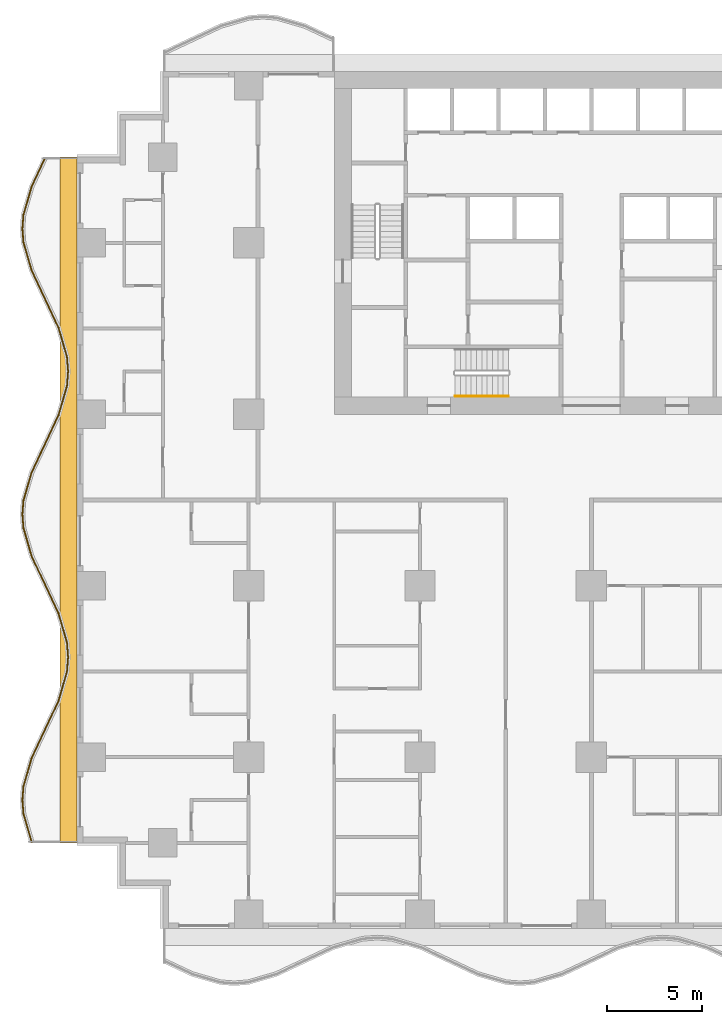
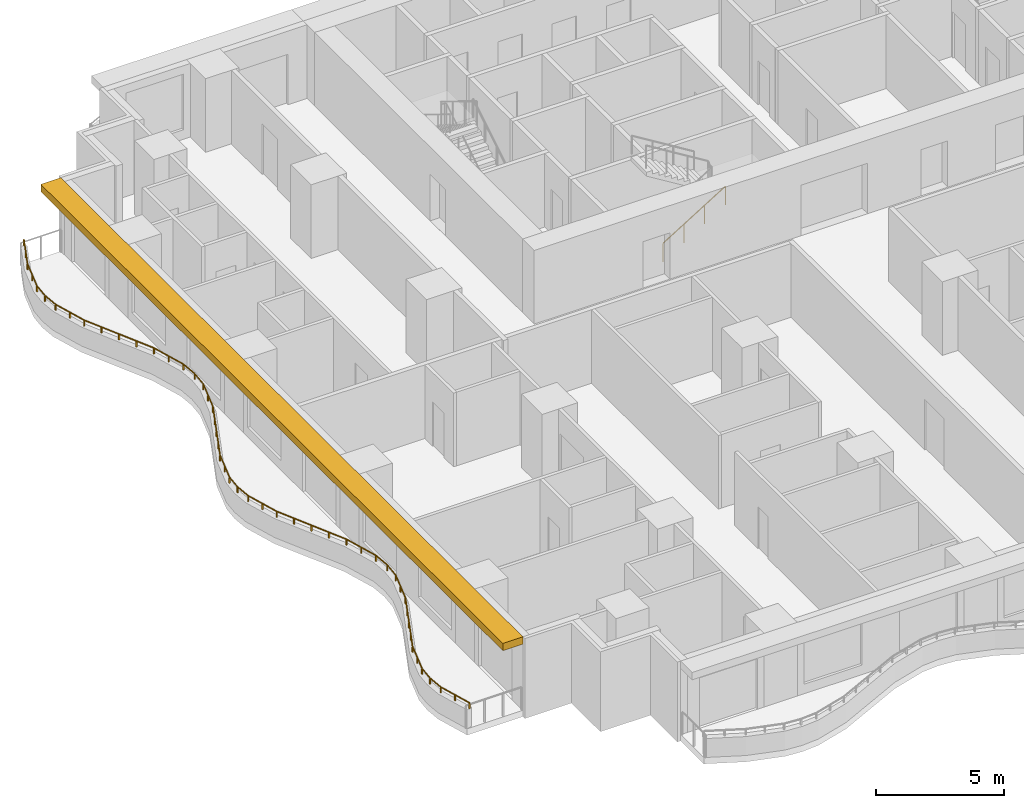
# One storey, part 9 of 14: 2 railings, 1 shading device.
"""IFC4 building model written with IfcOpenShell, lengths in metres."""

from ifc_helpers import new_model, si_unit, direction, frame, origin, origin_2d, place, context, subcontext, project, spatial, polyline, rectangle, circle, outline, extrude, material, layer, layer_set, type_object, element, save


model = new_model("IFC4")

# Units and contexts
model_context = context("Model", 3, precision=1e-05, world=origin(), true_north=direction((0.0, 1.0)))
body_context = subcontext(model_context, "Body", "Model", "MODEL_VIEW")
ifc_project = project(units=[si_unit("LENGTHUNIT", "METRE"), si_unit("AREAUNIT", "SQUARE_METRE"), si_unit("VOLUMEUNIT", "CUBIC_METRE"), si_unit("PLANEANGLEUNIT", "RADIAN"), si_unit("MASSUNIT", "GRAM", prefix="KILO")], contexts=[model_context])

# Site, building, storey
site_placement = place(None, origin())
site = spatial("IfcSite", under=ifc_project, at=site_placement, CompositionType="ELEMENT")
building_placement = place(site_placement, origin())
building = spatial("IfcBuilding", under=site, at=building_placement, Name="Orbiselva Terraces", CompositionType="ELEMENT")
storey_placement = place(building_placement, frame((0.0, 0.0, 15.0)))
storey = spatial("IfcBuildingStorey", under=building, at=storey_placement, Name="L03", CompositionType="ELEMENT", Elevation=15.0)

# Railings
ifc_material_1 = material(Name="Stainless steel", Category="steel")
railing_type_1 = type_object("IfcRailingType", Name="CORE-HANDRAIL-900", PredefinedType="HANDRAIL", material=ifc_material_1)
railing_1_placement = place(storey_placement, frame((-7.15, 5.45, 0.172727)))
element("IfcRailing", 1, at=railing_1_placement, inside=storey, type_object=railing_type_1, Name="L03 S3 stair handrail 1", PredefinedType="HANDRAIL", context=body_context, shape_type="SweptSolid", body=[
    extrude(circle(Radius=0.024, at=origin_2d()), frame((0.0, 0.0, 0.876), z_axis=(0.851088519012, 0.0, 0.52502222125), x_axis=(0.0, 1.0, 0.0)), (0.0, 0.0, 1.0), 3.289905),
    extrude(circle(Radius=0.021, at=origin_2d()), origin(), (0.0, 0.0, 1.0), 0.852),
    extrude(circle(Radius=0.021, at=origin_2d()), frame((0.933333, 0.0, 0.575758)), (0.0, 0.0, 1.0), 0.852),
    extrude(circle(Radius=0.021, at=origin_2d()), frame((1.866667, 0.0, 1.151515)), (0.0, 0.0, 1.0), 0.852),
    extrude(circle(Radius=0.021, at=origin_2d()), frame((2.8, 0.0, 1.727273)), (0.0, 0.0, 1.0), 0.852),
])
ifc_material_2 = material(Name="Bonded two-ply safety glass balustrade, stainless steel posts", Category="steel")
railing_type_2 = type_object("IfcRailingType", Name="ENV-BALUSTRADE-1200", PredefinedType="BALUSTRADE", material=ifc_material_2)
railing_2_placement = place(storey_placement, frame((-28.686882, 17.946809, 0.9)))
element("IfcRailing", 2, at=railing_2_placement, inside=storey, type_object=railing_type_2, Name="Balcony balustrade L03 W", PredefinedType="BALUSTRADE", context=body_context, shape_type="SweptSolid", body=[
    extrude(outline(polyline([(0.028868, 0.0), (0.014434, 0.025), (-0.014434, 0.025), (-0.028868, 0.0), (-0.014434, -0.025), (0.014434, -0.025), (0.028868, 0.0)])), frame((0.0, 0.0, 0.275), z_axis=(-0.425529912322, -0.904944359461, 0.0), x_axis=(0.904944359461, -0.425529912322, 0.0)), (0.0, 0.0, 1.0), 1.647746),
    extrude(outline(polyline([(0.028868, 0.0), (0.014434, 0.025), (-0.014434, 0.025), (-0.028868, 0.0), (-0.014434, -0.025), (0.014434, -0.025), (0.028868, 0.0)])), frame((-0.701165, -1.491118, 0.275), z_axis=(-0.279071528957, -0.960270317007, 0.0), x_axis=(0.960270317007, -0.279071528957, 0.0)), (0.0, 0.0, 1.0), 1.539408),
    extrude(outline(polyline([(0.028868, 0.0), (0.014434, 0.025), (-0.014434, 0.025), (-0.028868, 0.0), (-0.014434, -0.025), (0.014434, -0.025), (0.028868, 0.0)])), frame((-1.13077, -2.969366, 0.275), z_axis=(-0.078069536776, -0.996947916106, 0.0), x_axis=(0.996947916106, -0.078069536776, 0.0)), (0.0, 0.0, 1.0), 0.72967),
    extrude(outline(polyline([(0.028868, 0.0), (0.014434, 0.025), (-0.014434, 0.025), (-0.028868, 0.0), (-0.014434, -0.025), (0.014434, -0.025), (0.028868, 0.0)])), frame((-1.187735, -3.696809, 0.275), z_axis=(0.078069536776, -0.996947916106, 0.0), x_axis=(0.996947916106, 0.078069536776, 0.0)), (0.0, 0.0, 1.0), 0.72967),
    extrude(outline(polyline([(0.028868, 0.0), (0.014434, 0.025), (-0.014434, 0.025), (-0.028868, 0.0), (-0.014434, -0.025), (0.014434, -0.025), (0.028868, 0.0)])), frame((-1.13077, -4.424252, 0.275), z_axis=(0.279071528957, -0.960270317007, 0.0), x_axis=(0.960270317007, 0.279071528957, 0.0)), (0.0, 0.0, 1.0), 1.539408),
    extrude(outline(polyline([(0.028868, 0.0), (0.014434, 0.025), (-0.014434, 0.025), (-0.028868, 0.0), (-0.014434, -0.025), (0.014434, -0.025), (0.028868, 0.0)])), frame((-0.701165, -5.9025, 0.275), z_axis=(0.425529912322, -0.904944359461, 0.0), x_axis=(0.904944359461, 0.425529912322, 0.0)), (0.0, 0.0, 1.0), 1.647746),
    extrude(outline(polyline([(0.028868, 0.0), (0.014434, 0.025), (-0.014434, 0.025), (-0.028868, 0.0), (-0.014434, -0.025), (0.014434, -0.025), (0.028868, 0.0)])), frame((0.0, -7.393618, 0.275), z_axis=(0.425530342069, -0.904944157382, 0.0), x_axis=(0.904944157382, 0.425530342069, 0.0)), (0.0, 0.0, 1.0), 1.667376),
    extrude(outline(polyline([(0.028868, 0.0), (0.014434, 0.025), (-0.014434, 0.025), (-0.028868, 0.0), (-0.014434, -0.025), (0.014434, -0.025), (0.028868, 0.0)])), frame((0.709519, -8.9025, 0.275), z_axis=(0.279070928786, -0.960270491427, 0.0), x_axis=(0.960270491427, 0.279070928786, 0.0)), (0.0, 0.0, 1.0), 1.584712),
    extrude(outline(polyline([(0.028868, 0.0), (0.014434, 0.025), (-0.014434, 0.025), (-0.028868, 0.0), (-0.014434, -0.025), (0.014434, -0.025), (0.028868, 0.0)])), frame((1.151766, -10.424252, 0.275), z_axis=(0.078071061106, -0.996947796737, 0.0), x_axis=(0.996947796737, 0.078071061106, 0.0)), (0.0, 0.0, 1.0), 0.774922),
    extrude(outline(polyline([(0.028868, 0.0), (0.014434, 0.025), (-0.014434, 0.025), (-0.028868, 0.0), (-0.014434, -0.025), (0.014434, -0.025), (0.028868, 0.0)])), frame((1.212265, -11.196809, 0.275), z_axis=(-0.078071061106, -0.996947796737, 0.0), x_axis=(0.996947796737, -0.078071061106, 0.0)), (0.0, 0.0, 1.0), 0.774922),
    extrude(outline(polyline([(0.028868, 0.0), (0.014434, 0.025), (-0.014434, 0.025), (-0.028868, 0.0), (-0.014434, -0.025), (0.014434, -0.025), (0.028868, 0.0)])), frame((1.151766, -11.969366, 0.275), z_axis=(-0.279070928786, -0.960270491427, 0.0), x_axis=(0.960270491427, -0.279070928786, 0.0)), (0.0, 0.0, 1.0), 1.584712),
    extrude(outline(polyline([(0.028868, 0.0), (0.014434, 0.025), (-0.014434, 0.025), (-0.028868, 0.0), (-0.014434, -0.025), (0.014434, -0.025), (0.028868, 0.0)])), frame((0.709519, -13.491118, 0.275), z_axis=(-0.425530342069, -0.904944157382, 0.0), x_axis=(0.904944157382, -0.425530342069, 0.0)), (0.0, 0.0, 1.0), 1.667376),
    extrude(outline(polyline([(0.028868, 0.0), (0.014434, 0.025), (-0.014434, 0.025), (-0.028868, 0.0), (-0.014434, -0.025), (0.014434, -0.025), (0.028868, 0.0)])), frame((0.0, -15.0, 0.275), z_axis=(-0.425529912322, -0.904944359461, 0.0), x_axis=(0.904944359461, -0.425529912322, 0.0)), (0.0, 0.0, 1.0), 1.647746),
    extrude(outline(polyline([(0.028868, 0.0), (0.014434, 0.025), (-0.014434, 0.025), (-0.028868, 0.0), (-0.014434, -0.025), (0.014434, -0.025), (0.028868, 0.0)])), frame((-0.701165, -16.491118, 0.275), z_axis=(-0.279071528957, -0.960270317007, 0.0), x_axis=(0.960270317007, -0.279071528957, 0.0)), (0.0, 0.0, 1.0), 1.539408),
    extrude(outline(polyline([(0.028868, 0.0), (0.014434, 0.025), (-0.014434, 0.025), (-0.028868, 0.0), (-0.014434, -0.025), (0.014434, -0.025), (0.028868, 0.0)])), frame((-1.13077, -17.969366, 0.275), z_axis=(-0.078069536776, -0.996947916106, 0.0), x_axis=(0.996947916106, -0.078069536776, 0.0)), (0.0, 0.0, 1.0), 0.72967),
    extrude(outline(polyline([(0.028868, 0.0), (0.014434, 0.025), (-0.014434, 0.025), (-0.028868, 0.0), (-0.014434, -0.025), (0.014434, -0.025), (0.028868, 0.0)])), frame((-1.187735, -18.696809, 0.275), z_axis=(0.078069536776, -0.996947916106, 0.0), x_axis=(0.996947916106, 0.078069536776, 0.0)), (0.0, 0.0, 1.0), 0.72967),
    extrude(outline(polyline([(0.028868, 0.0), (0.014434, 0.025), (-0.014434, 0.025), (-0.028868, 0.0), (-0.014434, -0.025), (0.014434, -0.025), (0.028868, 0.0)])), frame((-1.13077, -19.424252, 0.275), z_axis=(0.279071528957, -0.960270317007, 0.0), x_axis=(0.960270317007, 0.279071528957, 0.0)), (0.0, 0.0, 1.0), 1.539408),
    extrude(outline(polyline([(0.028868, 0.0), (0.014434, 0.025), (-0.014434, 0.025), (-0.028868, 0.0), (-0.014434, -0.025), (0.014434, -0.025), (0.028868, 0.0)])), frame((-0.701165, -20.9025, 0.275), z_axis=(0.425529912322, -0.904944359461, 0.0), x_axis=(0.904944359461, 0.425529912322, 0.0)), (0.0, 0.0, 1.0), 1.647746),
    extrude(outline(polyline([(0.028868, 0.0), (0.014434, 0.025), (-0.014434, 0.025), (-0.028868, 0.0), (-0.014434, -0.025), (0.014434, -0.025), (0.028868, 0.0)])), frame((0.0, -22.393618, 0.275), z_axis=(0.425530342069, -0.904944157382, 0.0), x_axis=(0.904944157382, 0.425530342069, 0.0)), (0.0, 0.0, 1.0), 1.667376),
    extrude(outline(polyline([(0.028868, 0.0), (0.014434, 0.025), (-0.014434, 0.025), (-0.028868, 0.0), (-0.014434, -0.025), (0.014434, -0.025), (0.028868, 0.0)])), frame((0.709519, -23.9025, 0.275), z_axis=(0.279070928786, -0.960270491427, 0.0), x_axis=(0.960270491427, 0.279070928786, 0.0)), (0.0, 0.0, 1.0), 1.584712),
    extrude(outline(polyline([(0.028868, 0.0), (0.014434, 0.025), (-0.014434, 0.025), (-0.028868, 0.0), (-0.014434, -0.025), (0.014434, -0.025), (0.028868, 0.0)])), frame((1.151766, -25.424252, 0.275), z_axis=(0.078071061106, -0.996947796737, 0.0), x_axis=(0.996947796737, 0.078071061106, 0.0)), (0.0, 0.0, 1.0), 0.774922),
    extrude(outline(polyline([(0.028868, 0.0), (0.014434, 0.025), (-0.014434, 0.025), (-0.028868, 0.0), (-0.014434, -0.025), (0.014434, -0.025), (0.028868, 0.0)])), frame((1.212265, -26.196809, 0.275), z_axis=(-0.078071061106, -0.996947796737, 0.0), x_axis=(0.996947796737, -0.078071061106, 0.0)), (0.0, 0.0, 1.0), 0.774922),
    extrude(outline(polyline([(0.028868, 0.0), (0.014434, 0.025), (-0.014434, 0.025), (-0.028868, 0.0), (-0.014434, -0.025), (0.014434, -0.025), (0.028868, 0.0)])), frame((1.151766, -26.969366, 0.275), z_axis=(-0.279070928786, -0.960270491427, 0.0), x_axis=(0.960270491427, -0.279070928786, 0.0)), (0.0, 0.0, 1.0), 1.584712),
    extrude(outline(polyline([(0.028868, 0.0), (0.014434, 0.025), (-0.014434, 0.025), (-0.028868, 0.0), (-0.014434, -0.025), (0.014434, -0.025), (0.028868, 0.0)])), frame((0.709519, -28.491118, 0.275), z_axis=(-0.425530342069, -0.904944157382, 0.0), x_axis=(0.904944157382, -0.425530342069, 0.0)), (0.0, 0.0, 1.0), 1.667376),
    extrude(outline(polyline([(0.028868, 0.0), (0.014434, 0.025), (-0.014434, 0.025), (-0.028868, 0.0), (-0.014434, -0.025), (0.014434, -0.025), (0.028868, 0.0)])), frame((0.0, -30.0, 0.275), z_axis=(-0.425529912322, -0.904944359461, 0.0), x_axis=(0.904944359461, -0.425529912322, 0.0)), (0.0, 0.0, 1.0), 1.647746),
    extrude(outline(polyline([(0.028868, 0.0), (0.014434, 0.025), (-0.014434, 0.025), (-0.028868, 0.0), (-0.014434, -0.025), (0.014434, -0.025), (0.028868, 0.0)])), frame((-0.701165, -31.491118, 0.275), z_axis=(-0.279071528957, -0.960270317007, 0.0), x_axis=(0.960270317007, -0.279071528957, 0.0)), (0.0, 0.0, 1.0), 1.539408),
    extrude(outline(polyline([(0.028868, 0.0), (0.014434, 0.025), (-0.014434, 0.025), (-0.028868, 0.0), (-0.014434, -0.025), (0.014434, -0.025), (0.028868, 0.0)])), frame((-1.13077, -32.969366, 0.275), z_axis=(-0.078069536776, -0.996947916106, 0.0), x_axis=(0.996947916106, -0.078069536776, 0.0)), (0.0, 0.0, 1.0), 0.72967),
    extrude(outline(polyline([(0.028868, 0.0), (0.014434, 0.025), (-0.014434, 0.025), (-0.028868, 0.0), (-0.014434, -0.025), (0.014434, -0.025), (0.028868, 0.0)])), frame((-1.187735, -33.696809, 0.275), z_axis=(0.078069536776, -0.996947916106, 0.0), x_axis=(0.996947916106, 0.078069536776, 0.0)), (0.0, 0.0, 1.0), 0.72967),
    extrude(outline(polyline([(0.028868, 0.0), (0.014434, 0.025), (-0.014434, 0.025), (-0.028868, 0.0), (-0.014434, -0.025), (0.014434, -0.025), (0.028868, 0.0)])), frame((-1.13077, -34.424252, 0.275), z_axis=(0.279071486336, -0.960270329394, 0.0), x_axis=(0.960270329394, 0.279071486336, 0.0)), (0.0, 0.0, 1.0), 1.549223),
    extrude(rectangle(XDim=0.05, YDim=0.05, at=origin_2d()), origin(), (0.0, 0.0, 1.0), 0.25),
    extrude(rectangle(XDim=0.05, YDim=0.05, at=origin_2d()), frame((-0.350582, -0.745559, 0.0)), (0.0, 0.0, 1.0), 0.25),
    extrude(rectangle(XDim=0.05, YDim=0.05, at=origin_2d()), frame((-0.701165, -1.491118, 0.0)), (0.0, 0.0, 1.0), 0.25),
    extrude(rectangle(XDim=0.05, YDim=0.05, at=origin_2d()), frame((-0.915967, -2.230242, 0.0)), (0.0, 0.0, 1.0), 0.25),
    extrude(rectangle(XDim=0.05, YDim=0.05, at=origin_2d()), frame((-1.13077, -2.969366, 0.0)), (0.0, 0.0, 1.0), 0.25),
    extrude(rectangle(XDim=0.05, YDim=0.05, at=origin_2d()), frame((-1.187735, -3.696809, 0.0)), (0.0, 0.0, 1.0), 0.25),
    extrude(rectangle(XDim=0.05, YDim=0.05, at=origin_2d()), frame((-1.13077, -4.424252, 0.0)), (0.0, 0.0, 1.0), 0.25),
    extrude(rectangle(XDim=0.05, YDim=0.05, at=origin_2d()), frame((-0.915967, -5.163376, 0.0)), (0.0, 0.0, 1.0), 0.25),
    extrude(rectangle(XDim=0.05, YDim=0.05, at=origin_2d()), frame((-0.701165, -5.9025, 0.0)), (0.0, 0.0, 1.0), 0.25),
    extrude(rectangle(XDim=0.05, YDim=0.05, at=origin_2d()), frame((-0.350582, -6.648059, 0.0)), (0.0, 0.0, 1.0), 0.25),
    extrude(rectangle(XDim=0.05, YDim=0.05, at=origin_2d()), frame((0.0, -7.393618, 0.0)), (0.0, 0.0, 1.0), 0.25),
    extrude(rectangle(XDim=0.05, YDim=0.05, at=origin_2d()), frame((0.35476, -8.148059, 0.0)), (0.0, 0.0, 1.0), 0.25),
    extrude(rectangle(XDim=0.05, YDim=0.05, at=origin_2d()), frame((0.709519, -8.9025, 0.0)), (0.0, 0.0, 1.0), 0.25),
    extrude(rectangle(XDim=0.05, YDim=0.05, at=origin_2d()), frame((0.930643, -9.663376, 0.0)), (0.0, 0.0, 1.0), 0.25),
    extrude(rectangle(XDim=0.05, YDim=0.05, at=origin_2d()), frame((1.151766, -10.424252, 0.0)), (0.0, 0.0, 1.0), 0.25),
    extrude(rectangle(XDim=0.05, YDim=0.05, at=origin_2d()), frame((1.212265, -11.196809, 0.0)), (0.0, 0.0, 1.0), 0.25),
    extrude(rectangle(XDim=0.05, YDim=0.05, at=origin_2d()), frame((1.151766, -11.969366, 0.0)), (0.0, 0.0, 1.0), 0.25),
    extrude(rectangle(XDim=0.05, YDim=0.05, at=origin_2d()), frame((0.930643, -12.730242, 0.0)), (0.0, 0.0, 1.0), 0.25),
    extrude(rectangle(XDim=0.05, YDim=0.05, at=origin_2d()), frame((0.709519, -13.491118, 0.0)), (0.0, 0.0, 1.0), 0.25),
    extrude(rectangle(XDim=0.05, YDim=0.05, at=origin_2d()), frame((0.35476, -14.245559, 0.0)), (0.0, 0.0, 1.0), 0.25),
    extrude(rectangle(XDim=0.05, YDim=0.05, at=origin_2d()), frame((0.0, -15.0, 0.0)), (0.0, 0.0, 1.0), 0.25),
    extrude(rectangle(XDim=0.05, YDim=0.05, at=origin_2d()), frame((-0.350582, -15.745559, 0.0)), (0.0, 0.0, 1.0), 0.25),
    extrude(rectangle(XDim=0.05, YDim=0.05, at=origin_2d()), frame((-0.701165, -16.491118, 0.0)), (0.0, 0.0, 1.0), 0.25),
    extrude(rectangle(XDim=0.05, YDim=0.05, at=origin_2d()), frame((-0.915967, -17.230242, 0.0)), (0.0, 0.0, 1.0), 0.25),
    extrude(rectangle(XDim=0.05, YDim=0.05, at=origin_2d()), frame((-1.13077, -17.969366, 0.0)), (0.0, 0.0, 1.0), 0.25),
    extrude(rectangle(XDim=0.05, YDim=0.05, at=origin_2d()), frame((-1.187735, -18.696809, 0.0)), (0.0, 0.0, 1.0), 0.25),
    extrude(rectangle(XDim=0.05, YDim=0.05, at=origin_2d()), frame((-1.13077, -19.424252, 0.0)), (0.0, 0.0, 1.0), 0.25),
    extrude(rectangle(XDim=0.05, YDim=0.05, at=origin_2d()), frame((-0.915967, -20.163376, 0.0)), (0.0, 0.0, 1.0), 0.25),
    extrude(rectangle(XDim=0.05, YDim=0.05, at=origin_2d()), frame((-0.701165, -20.9025, 0.0)), (0.0, 0.0, 1.0), 0.25),
    extrude(rectangle(XDim=0.05, YDim=0.05, at=origin_2d()), frame((-0.350582, -21.648059, 0.0)), (0.0, 0.0, 1.0), 0.25),
    extrude(rectangle(XDim=0.05, YDim=0.05, at=origin_2d()), frame((0.0, -22.393618, 0.0)), (0.0, 0.0, 1.0), 0.25),
    extrude(rectangle(XDim=0.05, YDim=0.05, at=origin_2d()), frame((0.35476, -23.148059, 0.0)), (0.0, 0.0, 1.0), 0.25),
    extrude(rectangle(XDim=0.05, YDim=0.05, at=origin_2d()), frame((0.709519, -23.9025, 0.0)), (0.0, 0.0, 1.0), 0.25),
    extrude(rectangle(XDim=0.05, YDim=0.05, at=origin_2d()), frame((0.930643, -24.663376, 0.0)), (0.0, 0.0, 1.0), 0.25),
    extrude(rectangle(XDim=0.05, YDim=0.05, at=origin_2d()), frame((1.151766, -25.424252, 0.0)), (0.0, 0.0, 1.0), 0.25),
    extrude(rectangle(XDim=0.05, YDim=0.05, at=origin_2d()), frame((1.212265, -26.196809, 0.0)), (0.0, 0.0, 1.0), 0.25),
    extrude(rectangle(XDim=0.05, YDim=0.05, at=origin_2d()), frame((1.151766, -26.969366, 0.0)), (0.0, 0.0, 1.0), 0.25),
    extrude(rectangle(XDim=0.05, YDim=0.05, at=origin_2d()), frame((0.930643, -27.730242, 0.0)), (0.0, 0.0, 1.0), 0.25),
    extrude(rectangle(XDim=0.05, YDim=0.05, at=origin_2d()), frame((0.709519, -28.491118, 0.0)), (0.0, 0.0, 1.0), 0.25),
    extrude(rectangle(XDim=0.05, YDim=0.05, at=origin_2d()), frame((0.35476, -29.245559, 0.0)), (0.0, 0.0, 1.0), 0.25),
    extrude(rectangle(XDim=0.05, YDim=0.05, at=origin_2d()), frame((0.0, -30.0, 0.0)), (0.0, 0.0, 1.0), 0.25),
    extrude(rectangle(XDim=0.05, YDim=0.05, at=origin_2d()), frame((-0.350582, -30.745559, 0.0)), (0.0, 0.0, 1.0), 0.25),
    extrude(rectangle(XDim=0.05, YDim=0.05, at=origin_2d()), frame((-0.701165, -31.491118, 0.0)), (0.0, 0.0, 1.0), 0.25),
    extrude(rectangle(XDim=0.05, YDim=0.05, at=origin_2d()), frame((-0.915967, -32.230242, 0.0)), (0.0, 0.0, 1.0), 0.25),
    extrude(rectangle(XDim=0.05, YDim=0.05, at=origin_2d()), frame((-1.13077, -32.969366, 0.0)), (0.0, 0.0, 1.0), 0.25),
    extrude(rectangle(XDim=0.05, YDim=0.05, at=origin_2d()), frame((-1.187735, -33.696809, 0.0)), (0.0, 0.0, 1.0), 0.25),
    extrude(rectangle(XDim=0.05, YDim=0.05, at=origin_2d()), frame((-1.13077, -34.424252, 0.0)), (0.0, 0.0, 1.0), 0.25),
    extrude(rectangle(XDim=0.05, YDim=0.05, at=origin_2d()), frame((-0.914598, -35.168088, 0.0)), (0.0, 0.0, 1.0), 0.25),
    extrude(rectangle(XDim=0.05, YDim=0.05, at=origin_2d()), frame((-0.698426, -35.911925, 0.0)), (0.0, 0.0, 1.0), 0.25),
])

# Shading device
ifc_material_3 = material(Name="Terracotta baguette sunshade", Category="masonry")
ifc_layer = layer(ifc_material_3, 0.35)
ifc_layer_set = layer_set([ifc_layer], Name="Terracotta baguette sunshade")
shading_device_type = type_object("IfcShadingDeviceType", Name="ENV-SUNSHADE-900x350", PredefinedType="USERDEFINED", material=ifc_layer_set)
shading_device_placement = place(storey_placement, frame((0.0, 0.0, 3.15)))
element("IfcShadingDevice", 3, at=shading_device_placement, inside=storey, type_object=shading_device_type, Name="Sunshade band L03 W", ObjectType="SUNSHADE", PredefinedType="USERDEFINED", context=body_context, shape_type="SweptSolid", body=[
    extrude(outline(polyline([(-27.9, 18.0), (-27.9, -18.0), (-27.0, -18.0), (-27.0, 18.0), (-27.9, 18.0)])), origin(), (0.0, 0.0, 1.0), 0.35),
])

save(model, "model.ifc")
